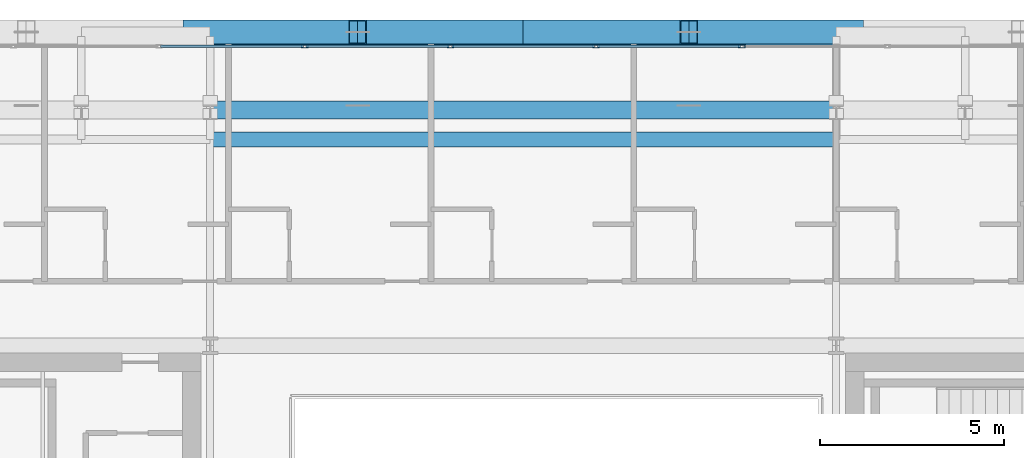
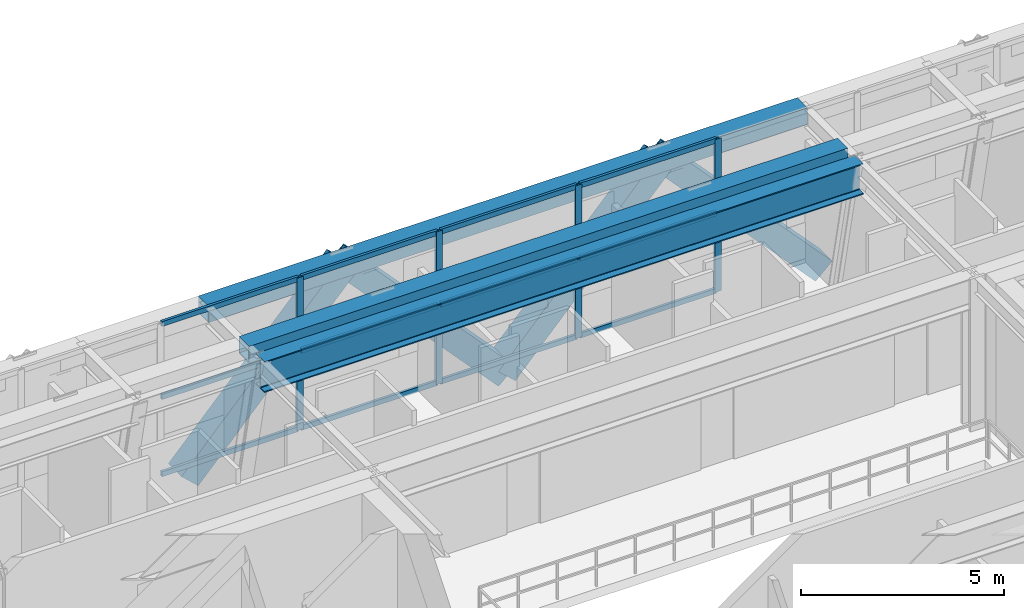
# One storey, part 16 of 31: 20 members, 3 beams, 1 element without a shape of its own.
"""IFC4 building model written with IfcOpenShell, lengths in metres."""

from ifc_helpers import new_model, si_unit, direction, frame, origin, origin_2d, place, context, subcontext, project, spatial, hollow_rectangle, i_section, extrude, source, transform, mapped, material, layer, layer_set, material_profile, profile_set, type_object, element, aggregate, save


model = new_model("IFC4")

# Units and contexts
model_context = context("Model", 3, precision=1e-05, world=origin(), true_north=direction((0.0, 1.0)))
body_context = subcontext(model_context, "Body", "Model", "MODEL_VIEW")
ifc_project = project(units=[si_unit("LENGTHUNIT", "METRE"), si_unit("AREAUNIT", "SQUARE_METRE"), si_unit("VOLUMEUNIT", "CUBIC_METRE"), si_unit("PLANEANGLEUNIT", "RADIAN"), si_unit("MASSUNIT", "GRAM", prefix="KILO")], contexts=[model_context])

# Site, building, storey
site_placement = place(None, origin())
site = spatial("IfcSite", under=ifc_project, at=site_placement, CompositionType="ELEMENT")
building_placement = place(site_placement, origin())
building = spatial("IfcBuilding", under=site, at=building_placement, Name="Ocotamira Hotel", CompositionType="ELEMENT")
storey_placement = place(building_placement, frame((0.0, 0.0, 228.0)))
storey = spatial("IfcBuildingStorey", under=building, at=storey_placement, Name="L57", CompositionType="ELEMENT", Elevation=228.0)

# Beams
ifc_material_1 = material(Name="Steel ASTM A992 Grade 50", Category="steel")
ifc_material_profile_1 = material_profile(ifc_material_1, i_section(OverallWidth=0.41796875, OverallDepth=0.927001953125, WebThickness=0.019287109375, FlangeThickness=0.031982421875, FilletRadius=0.02392578125, at=origin_2d()), Name="W36X231")
ifc_profile_set_1 = profile_set([ifc_material_profile_1], Name="Steel ASTM A992 Grade 50")
beam_type_1 = type_object("IfcBeamType", Name="BM-GIRD-W36X231", PredefinedType="BEAM", material=ifc_profile_set_1)
shared_shape_1 = source(origin(), body_context, "Body", "SweptSolid", [
    extrude(i_section(OverallWidth=0.41796875, OverallDepth=0.927001953125, WebThickness=0.019287109375, FlangeThickness=0.031982421875, FilletRadius=0.02392578125, at=origin_2d()), origin(), (0.0, 0.0, 1.0), 17.0),
])
beam_placement = place(storey_placement, frame((23.5, 43.050048828125, 4.116455078125), z_axis=(1.0, 0.0, 0.0), x_axis=(0.0, 1.0, 0.0)))
element("IfcBeam", 1, at=beam_placement, inside=storey, type_object=beam_type_1, Name="L57 Girder Y43.05 X23.5-40.5", PredefinedType="BEAM", context=body_context, shape_type="MappedRepresentation", body=[
    mapped(shared_shape_1, transform((0.0, 0.0, 0.0), scale=1.0)),
])
ifc_material_2 = material(Name="Steel ASTM A500 Grade C", Category="steel")
ifc_material_profile_2 = material_profile(ifc_material_2, hollow_rectangle(XDim=0.5, YDim=0.5, WallThickness=0.02001953125, at=origin_2d()), Name="HSS500X500X20")
ifc_profile_set_2 = profile_set([ifc_material_profile_2], Name="Steel ASTM A500 Grade C")
beam_type_2 = type_object("IfcBeamType", Name="BM-SPAN-HSS500", PredefinedType="USERDEFINED", material=ifc_profile_set_2)
shared_shape_2 = source(origin(), body_context, "Body", "SweptSolid", [
    extrude(hollow_rectangle(XDim=0.5, YDim=0.5, WallThickness=0.02001953125, at=origin_2d()), origin(), (0.0, 0.0, 1.0), 17.0),
])
for number, where, z_axis, x_axis, name in (
    (2, (23.5, 43.85009765625, 4.330078125), (1.0, 0.0, 0.0), (0.0, 1.0, 0.0), "L57 Inner Setback Spandrel N X23.5"),
    (3, (23.5, 45.85009765625, 4.330078125), (1.0, 0.0, 0.0), (0.0, 1.0, 0.0), "L57 Edge Spandrel N X23.5-40.5"),
):
    element("IfcBeam", number, at=place(storey_placement, frame(where, z_axis=z_axis, x_axis=x_axis)), inside=storey, type_object=beam_type_2, Name=name, ObjectType="SPANDREL", PredefinedType="USERDEFINED", context=body_context, shape_type="MappedRepresentation", body=[
        mapped(shared_shape_2, transform((0.0, 0.0, 0.0), scale=1.0)),
    ])

# Members
ifc_material_3 = material(Name="Pale-metal coated steel ASTM A913 Grade 65", Category="steel")
ifc_material_profile_3 = material_profile(ifc_material_3, hollow_rectangle(XDim=0.64990234375, YDim=0.64990234375, WallThickness=0.02197265625, at=origin_2d()), Name="BOX650X650X22")
ifc_profile_set_3 = profile_set([ifc_material_profile_3], Name="Pale-metal coated steel ASTM A913 Grade 65")
member_type_1 = type_object("IfcMemberType", Name="MEM-EXO-BOX650", PredefinedType="BRACE", material=ifc_profile_set_3)
shared_shape_3 = source(origin(), body_context, "Body", "SweptSolid", [
    extrude(hollow_rectangle(XDim=0.64990234375, YDim=0.64990234375, WallThickness=0.02197265625, at=origin_2d()), origin(), (0.0, 0.0, 1.0), 6.62353515625),
])
for number, where, z_axis, x_axis, name in (
    (4, (23.0, 45.969970703125, -0.530029296875), (0.679399946256, 0.0, 0.733768160271), (0.0, 1.0, 0.0), "L57 Exoskeleton Diagrid N1.1"),
    (5, (32.0, 45.969970703125, -0.530029296875), (-0.679399946256, 0.0, 0.733768160271), (0.0, -1.0, 0.0), "L57 Exoskeleton Diagrid N1.2"),
    (6, (32.0, 45.969970703125, -0.530029296875), (0.679399946256, 0.0, 0.733768160271), (0.0, 1.0, 0.0), "L57 Exoskeleton Diagrid N2.1"),
    (7, (41.0, 45.969970703125, -0.530029296875), (-0.679399946256, 0.0, 0.733768160271), (0.0, -1.0, 0.0), "L57 Exoskeleton Diagrid N2.2"),
):
    element("IfcMember", number, at=place(storey_placement, frame(where, z_axis=z_axis, x_axis=x_axis)), inside=storey, type_object=member_type_1, Name=name, PredefinedType="BRACE", context=body_context, shape_type="MappedRepresentation", body=[
        mapped(shared_shape_3, transform((0.0, 0.0, 0.0), scale=1.0)),
    ])

# Curtain wall, members
ifc_material_4 = material(Name="Anodised pale-metal aluminium and solar glass", Category="aluminium")
ifc_layer = layer(ifc_material_4, 0.239990234375)
ifc_layer_set = layer_set([ifc_layer], Name="Anodised pale-metal aluminium and solar glass")
curtain_wall_type = type_object("IfcCurtainWallType", Name="CW-SYS5-SKY", PredefinedType="NOTDEFINED", material=ifc_layer_set)
curtain_wall_placement = place(storey_placement, origin())
curtain_wall = element("IfcCurtainWall", 8, at=curtain_wall_placement, inside=storey, type_object=curtain_wall_type, Name="L57 Curtain Wall CW-5 CW-L57-N", PredefinedType="NOTDEFINED")
ifc_material_5 = material(Name="Anodised pale-metal aluminium 6063-T6", Category="aluminium")
ifc_material_profile_4 = material_profile(ifc_material_5, hollow_rectangle(XDim=0.074951171875, YDim=0.14990234375, WallThickness=0.006103515625, at=origin_2d()), Name="HSS150X75X6")
ifc_profile_set_4 = profile_set([ifc_material_profile_4], Name="Anodised pale-metal aluminium 6063-T6")
member_type_2 = type_object("IfcMemberType", Name="CWT-150X75", PredefinedType="USERDEFINED", material=ifc_profile_set_4)
shared_shape_4 = source(origin(), body_context, "Body", "SweptSolid", [
    extrude(hollow_rectangle(XDim=0.074951171875, YDim=0.14990234375, WallThickness=0.006103515625, at=origin_2d()), origin(), (0.0, 0.0, 1.0), 3.87548828125),
])
member_1_placement = place(storey_placement, frame((22.151123046875, 45.580078125, 0.03759765625), z_axis=(1.0, 0.0, 0.0), x_axis=(0.0, 1.0, 0.0)))
member_1 = element("IfcMember", 9, at=member_1_placement, type_object=member_type_2, Name="CW-5 transom 3.1", ObjectType="TRANSOM", PredefinedType="USERDEFINED", context=body_context, shape_type="MappedRepresentation", body=[
    mapped(shared_shape_4, transform((0.0, 0.0, 0.0), scale=1.0)),
])
member_2_placement = place(storey_placement, frame((22.151123046875, 45.580078125, 2.35009765625), z_axis=(1.0, 0.0, 0.0), x_axis=(0.0, 1.0, 0.0)))
member_2 = element("IfcMember", 10, at=member_2_placement, type_object=member_type_2, Name="CW-5 transom 3.2", ObjectType="TRANSOM", PredefinedType="USERDEFINED", context=body_context, shape_type="MappedRepresentation", body=[
    mapped(shared_shape_4, transform((0.0, 0.0, 0.0), scale=1.0)),
])
member_3_placement = place(storey_placement, frame((22.151123046875, 45.580078125, 4.54248046875), z_axis=(1.0, 0.0, 0.0), x_axis=(0.0, 1.0, 0.0)))
member_3 = element("IfcMember", 11, at=member_3_placement, type_object=member_type_2, Name="CW-5 transom 3.3", ObjectType="TRANSOM", PredefinedType="USERDEFINED", context=body_context, shape_type="MappedRepresentation", body=[
    mapped(shared_shape_4, transform((0.0, 0.0, 0.0), scale=1.0)),
])
member_4_placement = place(storey_placement, frame((26.106689453125, 45.580078125, 0.03759765625), z_axis=(1.0, 0.0, 0.0), x_axis=(0.0, 1.0, 0.0)))
member_4 = element("IfcMember", 12, at=member_4_placement, type_object=member_type_2, Name="CW-5 transom 4.1", ObjectType="TRANSOM", PredefinedType="USERDEFINED", context=body_context, shape_type="MappedRepresentation", body=[
    mapped(shared_shape_4, transform((0.0, 0.0, 0.0), scale=1.0)),
])
member_5_placement = place(storey_placement, frame((26.106689453125, 45.580078125, 2.35009765625), z_axis=(1.0, 0.0, 0.0), x_axis=(0.0, 1.0, 0.0)))
member_5 = element("IfcMember", 13, at=member_5_placement, type_object=member_type_2, Name="CW-5 transom 4.2", ObjectType="TRANSOM", PredefinedType="USERDEFINED", context=body_context, shape_type="MappedRepresentation", body=[
    mapped(shared_shape_4, transform((0.0, 0.0, 0.0), scale=1.0)),
])
member_6_placement = place(storey_placement, frame((26.106689453125, 45.580078125, 4.54248046875), z_axis=(1.0, 0.0, 0.0), x_axis=(0.0, 1.0, 0.0)))
member_6 = element("IfcMember", 14, at=member_6_placement, type_object=member_type_2, Name="CW-5 transom 4.3", ObjectType="TRANSOM", PredefinedType="USERDEFINED", context=body_context, shape_type="MappedRepresentation", body=[
    mapped(shared_shape_4, transform((0.0, 0.0, 0.0), scale=1.0)),
])
member_7_placement = place(storey_placement, frame((30.062255859375, 45.580078125, 0.03759765625), z_axis=(1.0, 0.0, 0.0), x_axis=(0.0, 1.0, 0.0)))
member_7 = element("IfcMember", 15, at=member_7_placement, type_object=member_type_2, Name="CW-5 transom 5.1", ObjectType="TRANSOM", PredefinedType="USERDEFINED", context=body_context, shape_type="MappedRepresentation", body=[
    mapped(shared_shape_4, transform((0.0, 0.0, 0.0), scale=1.0)),
])
member_8_placement = place(storey_placement, frame((30.062255859375, 45.580078125, 2.35009765625), z_axis=(1.0, 0.0, 0.0), x_axis=(0.0, 1.0, 0.0)))
member_8 = element("IfcMember", 16, at=member_8_placement, type_object=member_type_2, Name="CW-5 transom 5.2", ObjectType="TRANSOM", PredefinedType="USERDEFINED", context=body_context, shape_type="MappedRepresentation", body=[
    mapped(shared_shape_4, transform((0.0, 0.0, 0.0), scale=1.0)),
])
member_9_placement = place(storey_placement, frame((30.062255859375, 45.580078125, 4.54248046875), z_axis=(1.0, 0.0, 0.0), x_axis=(0.0, 1.0, 0.0)))
member_9 = element("IfcMember", 17, at=member_9_placement, type_object=member_type_2, Name="CW-5 transom 5.3", ObjectType="TRANSOM", PredefinedType="USERDEFINED", context=body_context, shape_type="MappedRepresentation", body=[
    mapped(shared_shape_4, transform((0.0, 0.0, 0.0), scale=1.0)),
])
member_10_placement = place(storey_placement, frame((34.017822265625, 45.580078125, 0.03759765625), z_axis=(1.0, 0.0, 0.0), x_axis=(0.0, 1.0, 0.0)))
member_10 = element("IfcMember", 18, at=member_10_placement, type_object=member_type_2, Name="CW-5 transom 6.1", ObjectType="TRANSOM", PredefinedType="USERDEFINED", context=body_context, shape_type="MappedRepresentation", body=[
    mapped(shared_shape_4, transform((0.0, 0.0, 0.0), scale=1.0)),
])
member_11_placement = place(storey_placement, frame((34.017822265625, 45.580078125, 2.35009765625), z_axis=(1.0, 0.0, 0.0), x_axis=(0.0, 1.0, 0.0)))
member_11 = element("IfcMember", 19, at=member_11_placement, type_object=member_type_2, Name="CW-5 transom 6.2", ObjectType="TRANSOM", PredefinedType="USERDEFINED", context=body_context, shape_type="MappedRepresentation", body=[
    mapped(shared_shape_4, transform((0.0, 0.0, 0.0), scale=1.0)),
])
member_12_placement = place(storey_placement, frame((34.017822265625, 45.580078125, 4.54248046875), z_axis=(1.0, 0.0, 0.0), x_axis=(0.0, 1.0, 0.0)))
member_12 = element("IfcMember", 20, at=member_12_placement, type_object=member_type_2, Name="CW-5 transom 6.3", ObjectType="TRANSOM", PredefinedType="USERDEFINED", context=body_context, shape_type="MappedRepresentation", body=[
    mapped(shared_shape_4, transform((0.0, 0.0, 0.0), scale=1.0)),
])
ifc_material_profile_5 = material_profile(ifc_material_5, hollow_rectangle(XDim=0.080078125, YDim=0.179931640625, WallThickness=0.006103515625, at=origin_2d()), Name="HSS180X80X6")
ifc_profile_set_5 = profile_set([ifc_material_profile_5], Name="Anodised pale-metal aluminium 6063-T6")
member_type_3 = type_object("IfcMemberType", Name="CWM-180X75", PredefinedType="MULLION", material=ifc_profile_set_5)
shared_shape_5 = source(origin(), body_context, "Body", "SweptSolid", [
    extrude(hollow_rectangle(XDim=0.080078125, YDim=0.179931640625, WallThickness=0.006103515625, at=origin_2d()), origin(), (0.0, 0.0, 1.0), 4.580078125),
])
member_13_placement = place(storey_placement, frame((26.066650390625, 45.580078125, 0.0), z_axis=(0.0, 0.0, 1.0), x_axis=(0.0, 1.0, 0.0)))
member_13 = element("IfcMember", 21, at=member_13_placement, type_object=member_type_3, Name="CW-5 mullion 4", PredefinedType="MULLION", context=body_context, shape_type="MappedRepresentation", body=[
    mapped(shared_shape_5, transform((0.0, 0.0, 0.0), scale=1.0)),
])
member_14_placement = place(storey_placement, frame((30.022216796875, 45.580078125, 0.0), z_axis=(0.0, 0.0, 1.0), x_axis=(0.0, 1.0, 0.0)))
member_14 = element("IfcMember", 22, at=member_14_placement, type_object=member_type_3, Name="CW-5 mullion 5", PredefinedType="MULLION", context=body_context, shape_type="MappedRepresentation", body=[
    mapped(shared_shape_5, transform((0.0, 0.0, 0.0), scale=1.0)),
])
member_15_placement = place(storey_placement, frame((33.977783203125, 45.580078125, 0.0), z_axis=(0.0, 0.0, 1.0), x_axis=(0.0, 1.0, 0.0)))
member_15 = element("IfcMember", 23, at=member_15_placement, type_object=member_type_3, Name="CW-5 mullion 6", PredefinedType="MULLION", context=body_context, shape_type="MappedRepresentation", body=[
    mapped(shared_shape_5, transform((0.0, 0.0, 0.0), scale=1.0)),
])
member_16_placement = place(storey_placement, frame((37.933349609375, 45.580078125, 0.0), z_axis=(0.0, 0.0, 1.0), x_axis=(0.0, 1.0, 0.0)))
member_16 = element("IfcMember", 24, at=member_16_placement, type_object=member_type_3, Name="CW-5 mullion 7", PredefinedType="MULLION", context=body_context, shape_type="MappedRepresentation", body=[
    mapped(shared_shape_5, transform((0.0, 0.0, 0.0), scale=1.0)),
])
aggregate(curtain_wall, [member_13, member_14, member_15, member_16, member_1, member_2, member_3, member_4, member_5, member_6, member_7, member_8, member_9, member_10, member_11, member_12])

save(model, "model.ifc")
